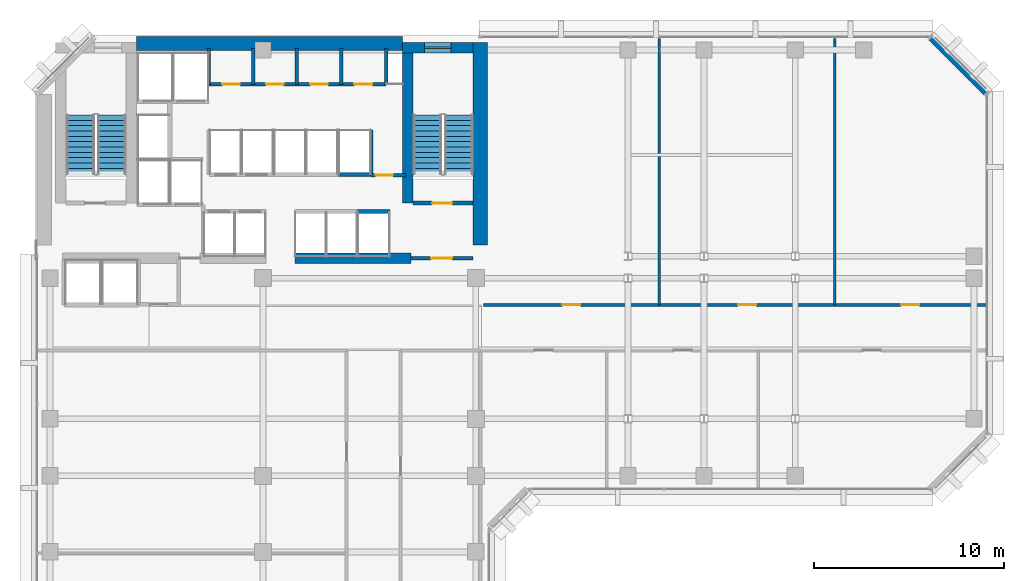
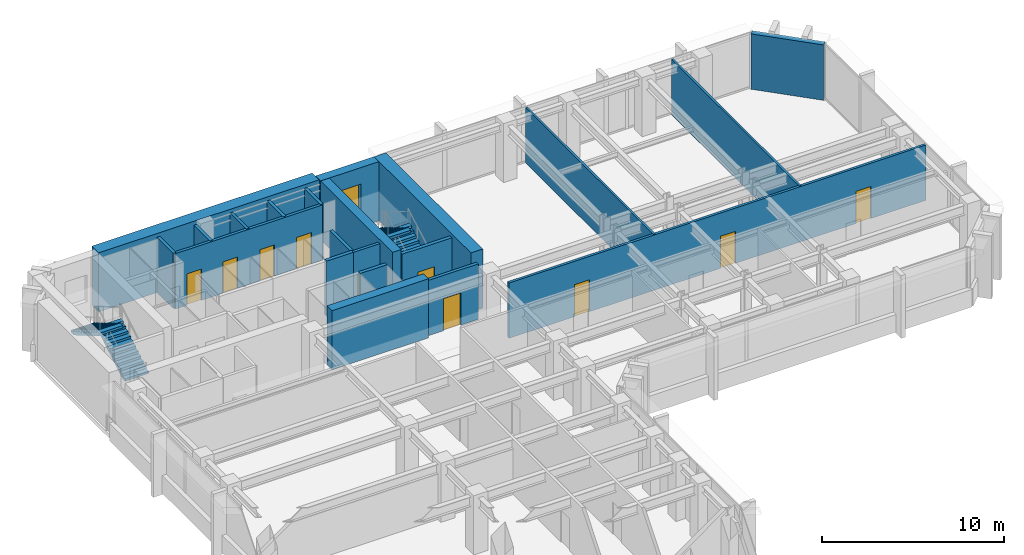
# One storey, part 8 of 12: 21 walls, 10 doors, 4 stair flights, 1 window, 11 openings, 2 elements without a shape of their own.
"""IFC4 building model written with IfcOpenShell, lengths in metres."""

from ifc_helpers import new_model, si_unit, direction, frame, frame_2d, origin, place, context, subcontext, project, spatial, polyline, rectangle, outline, extrude, material, layer, layer_set, type_object, element, fill, aggregate, save


model = new_model("IFC4")

# Units and contexts
model_context = context("Model", 3, precision=1e-05, world=origin(), true_north=direction((0.0, 1.0)))
body_context = subcontext(model_context, "Body", "Model", "MODEL_VIEW")
ifc_project = project(units=[si_unit("LENGTHUNIT", "METRE"), si_unit("AREAUNIT", "SQUARE_METRE"), si_unit("VOLUMEUNIT", "CUBIC_METRE"), si_unit("PLANEANGLEUNIT", "RADIAN"), si_unit("MASSUNIT", "GRAM", prefix="KILO")], contexts=[model_context])

# Site, building, storey
site_placement = place(None, origin())
site = spatial("IfcSite", under=ifc_project, at=site_placement, CompositionType="ELEMENT")
building_placement = place(site_placement, origin())
building = spatial("IfcBuilding", under=site, at=building_placement, Name="Kefirva Bronze Tower", CompositionType="ELEMENT")
storey_placement = place(building_placement, frame((0.0, 0.0, 118.469970703125)))
storey = spatial("IfcBuildingStorey", under=building, at=storey_placement, Name="L28", CompositionType="ELEMENT", Elevation=118.469970703125)

# Walls
ifc_material_1 = material(Name="Gypsum acoustic partition")
ifc_layer_1 = layer(ifc_material_1, 0.1298828125, Name="Gypsum acoustic partition")
ifc_layer_set_1 = layer_set([ifc_layer_1], Name="Gypsum acoustic partition")
wall_type_1 = type_object("IfcWallType", Name="Acoustic Office Partition 130mm", PredefinedType="PARTITIONING", material=ifc_layer_set_1)
for number, where, z_axis, x_axis, name in (
    (1, (32.843505859375, 31.800048828125, 0.0), (0.0, 0.0, 1.0), (0.0, 1.0, 0.0), "L28 Partition W-L28-END1"),
    (2, (42.0869140625, 31.800048828125, 0.0), (0.0, 0.0, 1.0), (0.0, 1.0, 0.0), "L28 Partition W-L28-END2"),
):
    element("IfcWall", number, at=place(storey_placement, frame(where, z_axis=z_axis, x_axis=x_axis)), inside=storey, type_object=wall_type_1, Name=name, PredefinedType="PARTITIONING", context=body_context, shape_type="SweptSolid", body=[
        extrude(rectangle(XDim=14.010009765625, YDim=0.1298828125, at=frame_2d((7.0048828125, 0.0))), origin(), (0.0, 0.0, 1.0), 3.7099609375),
    ])

# Wall, opening, door
ifc_material_2 = material(Name="Gypsum fireboard shaftwall")
ifc_layer_2 = layer(ifc_material_2, 0.219970703125, Name="Gypsum fireboard shaftwall")
ifc_layer_set_2 = layer_set([ifc_layer_2], Name="Gypsum fireboard shaftwall")
wall_type_2 = type_object("IfcWallType", Name="Fire-Rated Shaft Enclosure Wall 220mm", PredefinedType="PARTITIONING", material=ifc_layer_set_2)
wall_1_placement = place(storey_placement, frame((19.89990234375, 37.14990234375, 0.0), z_axis=(0.0, 0.0, 1.0), x_axis=(1.0, 0.0, 0.0)))
wall_1 = element("IfcWall", 3, at=wall_1_placement, inside=storey, type_object=wall_type_2, Name="L28 Partition W-L28-ST2S", PredefinedType="PARTITIONING", context=body_context, shape_type="SweptSolid", body=[
    extrude(rectangle(XDim=3.150146484375, YDim=0.219970703125, at=frame_2d((1.5751953125, 0.0))), origin(), (0.0, 0.0, 1.0), 3.7099609375),
])
opening_1_placement = place(wall_1_placement, frame((2.050048828125, 0.0, 0.0), z_axis=(0.0, 0.0, 1.0), x_axis=(-1.0, 0.0, 0.0)))
opening_1 = element("IfcOpeningElement", 4, at=opening_1_placement, cuts=wall_1, Name="Opening L28-D003", PredefinedType="OPENING", context=body_context, shape_type="SweptSolid", body=[
    extrude(rectangle(XDim=1.050048828125, YDim=2.14990234375, at=frame_2d((0.52490234375, 1.074951171875))), frame((0.0, 0.1201171875, 0.0), z_axis=(0.0, -1.0, 0.0), x_axis=(1.0, 0.0, 0.0)), (0.0, 0.0, 1.0), 0.239990234375),
])
ifc_material_3 = material(Name="Painted galvanized steel", Category="steel")
door_type_1 = type_object("IfcDoorType", Name="Fire Stair Enclosure Door 1050x2150 FD90S", OperationType="NOTDEFINED", PredefinedType="DOOR", material=ifc_material_3)
door_1_placement = place(opening_1_placement, origin())
door_1 = element("IfcDoor", 5, at=door_1_placement, inside=storey, type_object=door_type_1, Name="Door L28-D003", OperationType="SINGLE_SWING_RIGHT", OverallHeight=2.14990234375, OverallWidth=1.050048828125, PredefinedType="DOOR", context=body_context, shape_type="SweptSolid", body=[
    extrude(rectangle(XDim=1.050048828125, YDim=2.14990234375, at=frame_2d((0.52490234375, 1.074951171875))), frame((0.0, 0.02490234375, 0.0), z_axis=(0.0, -1.0, 0.0), x_axis=(1.0, 0.0, 0.0)), (0.0, 0.0, 1.0), 0.050048828125),
])
fill(opening_1, door_1)

# Walls
wall_2_placement = place(storey_placement, frame((17.679931640625, 38.64990234375, 0.0), z_axis=(0.0, 0.0, 1.0), x_axis=(0.0, 1.0, 0.0)))
element("IfcWall", 6, at=wall_2_placement, inside=storey, type_object=wall_type_2, Name="L28 Partition W-L28-HP2E", PredefinedType="PARTITIONING", context=body_context, shape_type="SweptSolid", body=[
    extrude(rectangle(XDim=2.35009765625, YDim=0.199951171875, at=frame_2d((1.175048828125, 0.0))), origin(), (0.0, 0.0, 1.0), 3.7099609375),
])
wall_3_placement = place(storey_placement, frame((16.97998046875, 36.699951171875, 0.0), z_axis=(0.0, 0.0, 1.0), x_axis=(1.0, 0.0, 0.0)))
element("IfcWall", 7, at=wall_3_placement, inside=storey, type_object=wall_type_2, Name="L28 Partition W-L28-HPS", PredefinedType="PARTITIONING", context=body_context, shape_type="SweptSolid", body=[
    extrude(rectangle(XDim=1.699951171875, YDim=0.219970703125, at=frame_2d((0.85009765625, 0.0))), origin(), (0.0, 0.0, 1.0), 3.7099609375),
])
wall_4_placement = place(storey_placement, frame((15.97998046875, 38.64990234375, 0.0), z_axis=(0.0, 0.0, 1.0), x_axis=(1.0, 0.0, 0.0)))
element("IfcWall", 8, at=wall_4_placement, inside=storey, type_object=wall_type_2, Name="L28 Partition W-L28-HPN", PredefinedType="PARTITIONING", context=body_context, shape_type="SweptSolid", body=[
    extrude(rectangle(XDim=1.719970703125, YDim=0.219970703125, at=frame_2d((0.85986328125, 0.0))), origin(), (0.0, 0.0, 1.0), 3.7099609375),
])

# Wall, opening, door
ifc_material_4 = material(Name="Gypsum fireboard barrier")
ifc_layer_3 = layer(ifc_material_4, 0.199951171875, Name="Gypsum fireboard barrier")
ifc_layer_set_3 = layer_set([ifc_layer_3], Name="Gypsum fireboard barrier")
wall_type_3 = type_object("IfcWallType", Name="Firefighting Lobby Barrier Wall 200mm", PredefinedType="PARTITIONING", material=ifc_layer_set_3)
wall_5_placement = place(storey_placement, frame((19.800048828125, 34.25, 0.0), z_axis=(0.0, 0.0, 1.0), x_axis=(1.0, 0.0, 0.0)))
wall_5 = element("IfcWall", 9, at=wall_5_placement, inside=storey, type_object=wall_type_3, Name="L28 Partition W-L28-ST2F", PredefinedType="PARTITIONING", context=body_context, shape_type="SweptSolid", body=[
    extrude(rectangle(XDim=3.25, YDim=0.199951171875, at=frame_2d((1.625, 0.0))), origin(), (0.0, 0.0, 1.0), 3.7099609375),
])
opening_2_placement = place(wall_5_placement, frame((2.150146484375, 0.0, 0.0), z_axis=(0.0, 0.0, 1.0), x_axis=(-1.0, 0.0, 0.0)))
opening_2 = element("IfcOpeningElement", 10, at=opening_2_placement, cuts=wall_5, Name="Opening L28-D004", PredefinedType="OPENING", context=body_context, shape_type="SweptSolid", body=[
    extrude(rectangle(XDim=1.10009765625, YDim=2.14990234375, at=frame_2d((0.550048828125, 1.074951171875))), frame((0.0, 0.10986328125, 0.0), z_axis=(0.0, -1.0, 0.0), x_axis=(1.0, 0.0, 0.0)), (0.0, 0.0, 1.0), 0.219970703125),
])
door_type_2 = type_object("IfcDoorType", Name="Firefighting Lobby Smoke Door 1100x2150 FD60S", OperationType="NOTDEFINED", PredefinedType="DOOR", material=ifc_material_3)
door_2_placement = place(opening_2_placement, origin())
door_2 = element("IfcDoor", 11, at=door_2_placement, inside=storey, type_object=door_type_2, Name="Door L28-D004", OperationType="SINGLE_SWING_LEFT", OverallHeight=2.14990234375, OverallWidth=1.10009765625, PredefinedType="DOOR", context=body_context, shape_type="SweptSolid", body=[
    extrude(rectangle(XDim=1.10009765625, YDim=2.14990234375, at=frame_2d((0.550048828125, 1.074951171875))), frame((0.0, 0.02490234375, 0.0), z_axis=(0.0, -1.0, 0.0), x_axis=(1.0, 0.0, 0.0)), (0.0, 0.0, 1.0), 0.050048828125),
])
fill(opening_2, door_2)

wall_6_placement = place(storey_placement, frame((17.679931640625, 38.6201171875, 0.0), z_axis=(0.0, 0.0, 1.0), x_axis=(1.0, 0.0, 0.0)))
wall_6 = element("IfcWall", 12, at=wall_6_placement, inside=storey, type_object=wall_type_3, Name="L28 Partition W-L28-CPASS", PredefinedType="PARTITIONING", context=body_context, shape_type="SweptSolid", body=[
    extrude(rectangle(XDim=1.840087890625, YDim=0.179931640625, at=frame_2d((0.919921875, 0.0))), origin(), (0.0, 0.0, 1.0), 3.7099609375),
])
opening_3_placement = place(wall_6_placement, frame((0.239990234375, 0.0, 0.0)))
opening_3 = element("IfcOpeningElement", 13, at=opening_3_placement, cuts=wall_6, Name="Opening L28-D-CPAS", PredefinedType="OPENING", context=body_context, shape_type="SweptSolid", body=[
    extrude(rectangle(XDim=0.919921875, YDim=2.10009765625, at=frame_2d((0.4599609375, 1.050048828125))), frame((0.0, 0.10009765625, 0.0), z_axis=(0.0, -1.0, 0.0), x_axis=(1.0, 0.0, 0.0)), (0.0, 0.0, 1.0), 0.199951171875),
])
ifc_material_5 = material(Name="Moisture-resistant timber", Category="wood")
door_type_3 = type_object("IfcDoorType", Name="Accessible Sanitary & WC Door 920x2100", OperationType="NOTDEFINED", PredefinedType="DOOR", material=ifc_material_5)
door_3_placement = place(opening_3_placement, origin())
door_3 = element("IfcDoor", 14, at=door_3_placement, inside=storey, type_object=door_type_3, Name="Door L28-D-CPAS", OperationType="SINGLE_SWING_RIGHT", OverallHeight=2.10009765625, OverallWidth=0.919921875, PredefinedType="DOOR", context=body_context, shape_type="SweptSolid", body=[
    extrude(rectangle(XDim=0.919921875, YDim=2.10009765625, at=frame_2d((0.4599609375, 1.050048828125))), frame((0.0, 0.02490234375, 0.0), z_axis=(0.0, -1.0, 0.0), x_axis=(1.0, 0.0, 0.0)), (0.0, 0.0, 1.0), 0.050048828125),
])
fill(opening_3, door_3)

# Wall
ifc_material_6 = material(Name="Precast concrete C40/50", Category="concrete")
ifc_layer_4 = layer(ifc_material_6, 0.320068359375, Name="Precast concrete C40/50")
ifc_layer_set_4 = layer_set([ifc_layer_4], Name="Precast concrete C40/50")
wall_type_4 = type_object("IfcWallType", Name="Precast Insulated Exterior Wall 320mm", PredefinedType="SOLIDWALL", material=ifc_layer_set_4)
wall_7_placement = place(storey_placement, frame((50.048095703125, 42.92578125, 0.0), z_axis=(0.0, 0.0, 1.0), x_axis=(-0.707136318428, 0.707077242712, 0.0)))
element("IfcWall", 15, at=wall_7_placement, inside=storey, type_object=wall_type_4, Name="L28 Exterior Facade Wall 7", PredefinedType="SOLIDWALL", context=body_context, shape_type="SweptSolid", body=[
    extrude(rectangle(XDim=4.132568359375, YDim=0.320068359375, at=frame_2d((2.06640625, 0.0))), origin(), (0.0, 0.0, 1.0), 3.7099609375),
])

# Wall, openings, doors
ifc_layer_5 = layer(ifc_material_1, 0.159912109375, Name="Gypsum acoustic partition")
ifc_layer_set_5 = layer_set([ifc_layer_5], Name="Gypsum acoustic partition")
wall_type_5 = type_object("IfcWallType", Name="Protected Corridor Partition 160mm", PredefinedType="PARTITIONING", material=ifc_layer_set_5)
wall_8_placement = place(storey_placement, frame((23.60009765625, 31.800048828125, 0.0), z_axis=(0.0, 0.0, 1.0), x_axis=(1.0, 0.0, 0.0)))
wall_8 = element("IfcWall", 16, at=wall_8_placement, inside=storey, type_object=wall_type_5, Name="L28 Partition W-L28-EWN", PredefinedType="PARTITIONING", context=body_context, shape_type="SweptSolid", body=[
    extrude(rectangle(XDim=26.409912109375, YDim=0.159912109375, at=frame_2d((13.205078125, 0.0))), origin(), (0.0, 0.0, 1.0), 3.7099609375),
])
opening_4_placement = place(wall_8_placement, frame((4.146728515625, 0.0, 0.0)))
opening_4 = element("IfcOpeningElement", 17, at=opening_4_placement, cuts=wall_8, Name="Opening L28-D-EN1", PredefinedType="OPENING", context=body_context, shape_type="SweptSolid", body=[
    extrude(rectangle(XDim=0.949951171875, YDim=2.14990234375, at=frame_2d((0.47509765625, 1.074951171875))), frame((0.0, 0.08984375, 0.0), z_axis=(0.0, -1.0, 0.0), x_axis=(1.0, 0.0, 0.0)), (0.0, 0.0, 1.0), 0.179931640625),
])
opening_5_placement = place(wall_8_placement, frame((13.39013671875, 0.0, 0.0)))
opening_5 = element("IfcOpeningElement", 18, at=opening_5_placement, cuts=wall_8, Name="Opening L28-D-EN2", PredefinedType="OPENING", context=body_context, shape_type="SweptSolid", body=[
    extrude(rectangle(XDim=0.949951171875, YDim=2.14990234375, at=frame_2d((0.47509765625, 1.074951171875))), frame((0.0, 0.08984375, 0.0), z_axis=(0.0, -1.0, 0.0), x_axis=(1.0, 0.0, 0.0)), (0.0, 0.0, 1.0), 0.179931640625),
])
opening_6_placement = place(wall_8_placement, frame((21.973388671875, 0.0, 0.0)))
opening_6 = element("IfcOpeningElement", 19, at=opening_6_placement, cuts=wall_8, Name="Opening L28-D-EN3", PredefinedType="OPENING", context=body_context, shape_type="SweptSolid", body=[
    extrude(rectangle(XDim=0.949951171875, YDim=2.14990234375, at=frame_2d((0.47509765625, 1.074951171875))), frame((0.0, 0.08984375, 0.0), z_axis=(0.0, -1.0, 0.0), x_axis=(1.0, 0.0, 0.0)), (0.0, 0.0, 1.0), 0.179931640625),
])
ifc_material_7 = material(Name="Acoustic hardwood oak", Category="wood")
door_type_4 = type_object("IfcDoorType", Name="Office & Meeting Room Door 950x2150", OperationType="NOTDEFINED", PredefinedType="DOOR", material=ifc_material_7)
door_4_placement = place(opening_4_placement, origin())
door_4 = element("IfcDoor", 20, at=door_4_placement, inside=storey, type_object=door_type_4, Name="Door L28-D-EN1", OperationType="SINGLE_SWING_LEFT", OverallHeight=2.14990234375, OverallWidth=0.949951171875, PredefinedType="DOOR", context=body_context, shape_type="SweptSolid", body=[
    extrude(rectangle(XDim=0.949951171875, YDim=2.14990234375, at=frame_2d((0.47509765625, 1.074951171875))), frame((0.0, 0.02490234375, 0.0), z_axis=(0.0, -1.0, 0.0), x_axis=(1.0, 0.0, 0.0)), (0.0, 0.0, 1.0), 0.050048828125),
])
fill(opening_4, door_4)
door_5_placement = place(opening_5_placement, origin())
door_5 = element("IfcDoor", 21, at=door_5_placement, inside=storey, type_object=door_type_4, Name="Door L28-D-EN2", OperationType="SINGLE_SWING_RIGHT", OverallHeight=2.14990234375, OverallWidth=0.949951171875, PredefinedType="DOOR", context=body_context, shape_type="SweptSolid", body=[
    extrude(rectangle(XDim=0.949951171875, YDim=2.14990234375, at=frame_2d((0.47509765625, 1.074951171875))), frame((0.0, 0.02490234375, 0.0), z_axis=(0.0, -1.0, 0.0), x_axis=(1.0, 0.0, 0.0)), (0.0, 0.0, 1.0), 0.050048828125),
])
fill(opening_5, door_5)
door_6_placement = place(opening_6_placement, origin())
door_6 = element("IfcDoor", 22, at=door_6_placement, inside=storey, type_object=door_type_4, Name="Door L28-D-EN3", OperationType="SINGLE_SWING_LEFT", OverallHeight=2.14990234375, OverallWidth=0.949951171875, PredefinedType="DOOR", context=body_context, shape_type="SweptSolid", body=[
    extrude(rectangle(XDim=0.949951171875, YDim=2.14990234375, at=frame_2d((0.47509765625, 1.074951171875))), frame((0.0, 0.02490234375, 0.0), z_axis=(0.0, -1.0, 0.0), x_axis=(1.0, 0.0, 0.0)), (0.0, 0.0, 1.0), 0.050048828125),
])
fill(opening_6, door_6)

# Wall, opening, window
ifc_material_8 = material(Name="Concrete C50/60", Category="concrete")
ifc_layer_6 = layer(ifc_material_8, 0.550048828125, Name="Concrete C50/60")
ifc_layer_set_6 = layer_set([ifc_layer_6], Name="Concrete C50/60")
wall_type_6 = type_object("IfcWallType", Name="RC Rear Core Exterior Wall 550mm", PredefinedType="SHEAR", material=ifc_layer_set_6)
wall_9_placement = place(storey_placement, frame((19.35009765625, 45.320068359375, 0.0), z_axis=(0.0, 0.0, 1.0), x_axis=(1.0, 0.0, 0.0)))
wall_9 = element("IfcWall", 23, at=wall_9_placement, inside=storey, type_object=wall_type_6, Name="L28 Stair 2 North Shear Wall", PredefinedType="SHEAR", context=body_context, shape_type="SweptSolid", body=[
    extrude(rectangle(XDim=3.68994140625, YDim=0.550048828125, at=frame_2d((1.844970703125, 0.0))), origin(), (0.0, 0.0, 1.0), 3.9599609375),
])
opening_7_placement = place(wall_9_placement, frame((1.14990234375, 0.0, 1.050048828125)))
opening_7 = element("IfcOpeningElement", 24, at=opening_7_placement, cuts=wall_9, Name="Opening WN-03", PredefinedType="OPENING", context=body_context, shape_type="SweptSolid", body=[
    extrude(rectangle(XDim=1.39990234375, YDim=1.800048828125, at=frame_2d((0.699951171875, 0.89990234375))), frame((0.0, 0.28515625, 0.0), z_axis=(0.0, -1.0, 0.0), x_axis=(1.0, 0.0, 0.0)), (0.0, 0.0, 1.0), 0.570068359375),
])
ifc_material_9 = material(Name="Laminated low-E double glazing", Category="glass")
window_type = type_object("IfcWindowType", Name="Rear-Core Stair Daylight Window 1400x1800", PartitioningType="SINGLE_PANEL", PredefinedType="WINDOW", material=ifc_material_9)
window_placement = place(opening_7_placement, origin())
window = element("IfcWindow", 25, at=window_placement, inside=storey, type_object=window_type, Name="L28 Stair 2 Daylight Window", OverallHeight=1.800048828125, OverallWidth=1.39990234375, PartitioningType="SINGLE_PANEL", PredefinedType="WINDOW", context=body_context, shape_type="SweptSolid", body=[
    extrude(rectangle(XDim=1.39990234375, YDim=1.800048828125, at=frame_2d((0.699951171875, 0.89990234375))), frame((0.0, 0.030029296875, 0.0), z_axis=(0.0, -1.0, 0.0), x_axis=(1.0, 0.0, 0.0)), (0.0, 0.0, 1.0), 0.06005859375),
])
fill(opening_7, window)

# Walls
ifc_material_10 = material(Name="Concrete C60/75", Category="concrete")
ifc_layer_7 = layer(ifc_material_10, 0.75, Name="Concrete C60/75")
ifc_layer_set_7 = layer_set([ifc_layer_7], Name="Concrete C60/75")
wall_type_7 = type_object("IfcWallType", Name="RC Rear Core Exterior Wall 750mm", PredefinedType="SHEAR", material=ifc_layer_set_7)
wall_10_placement = place(storey_placement, frame((5.360107421875, 45.550048828125, 0.0), z_axis=(0.0, 0.0, 1.0), x_axis=(1.0, 0.0, 0.0)))
element("IfcWall", 26, at=wall_10_placement, inside=storey, type_object=wall_type_7, Name="L28 Rear Core North Shear Wall", PredefinedType="SHEAR", context=body_context, shape_type="SweptSolid", body=[
    extrude(rectangle(XDim=13.97998046875, YDim=0.75, at=frame_2d((6.989990234375, 0.0))), origin(), (0.0, 0.0, 1.0), 3.9599609375),
])
ifc_layer_8 = layer(ifc_material_8, 0.550048828125, Name="Concrete C50/60")
ifc_layer_set_8 = layer_set([ifc_layer_8], Name="Concrete C50/60")
wall_type_8 = type_object("IfcWallType", Name="RC Rear Core Interior Wall 550mm", PredefinedType="SHEAR", material=ifc_layer_set_8)
wall_11_placement = place(storey_placement, frame((19.6201171875, 37.14990234375, 0.0), z_axis=(0.0, 0.0, 1.0), x_axis=(0.0, 1.0, 0.0)))
element("IfcWall", 27, at=wall_11_placement, inside=storey, type_object=wall_type_8, Name="L28 Stair 2 West Shear Wall", PredefinedType="SHEAR", context=body_context, shape_type="SweptSolid", body=[
    extrude(rectangle(XDim=7.89013671875, YDim=0.550048828125, at=frame_2d((3.945068359375, 0.0))), origin(), (0.0, 0.0, 1.0), 3.9599609375),
])
ifc_layer_9 = layer(ifc_material_10, 0.75, Name="Concrete C60/75")
ifc_layer_set_9 = layer_set([ifc_layer_9], Name="Concrete C60/75")
wall_type_9 = type_object("IfcWallType", Name="RC Rear Core Interior Wall 750mm", PredefinedType="SHEAR", material=ifc_layer_set_9)
wall_12_placement = place(storey_placement, frame((23.425048828125, 34.949951171875, 0.0), z_axis=(0.0, 0.0, 1.0), x_axis=(0.0, 1.0, 0.0)))
element("IfcWall", 28, at=wall_12_placement, inside=storey, type_object=wall_type_9, Name="L28 Rear Core East Shear Wall", PredefinedType="SHEAR", context=body_context, shape_type="SweptSolid", body=[
    extrude(rectangle(XDim=10.64013671875, YDim=0.75, at=frame_2d((5.320068359375, 0.0))), origin(), (0.0, 0.0, 1.0), 3.9599609375),
])
wall_13_placement = place(storey_placement, frame((13.679931640625, 34.25, 0.0), z_axis=(0.0, 0.0, 1.0), x_axis=(1.0, 0.0, 0.0)))
element("IfcWall", 29, at=wall_13_placement, inside=storey, type_object=wall_type_9, Name="L28 Rear Core South-East Shear Wall", PredefinedType="SHEAR", context=body_context, shape_type="SweptSolid", body=[
    extrude(rectangle(XDim=6.1201171875, YDim=0.550048828125, at=frame_2d((3.06005859375, 0.0))), origin(), (0.0, 0.0, 1.0), 3.9599609375),
])

# Wall, openings, doors
ifc_material_11 = material(Name="Moisture-resistant partition")
ifc_layer_10 = layer(ifc_material_11, 0.179931640625, Name="Moisture-resistant partition")
ifc_layer_set_10 = layer_set([ifc_layer_10], Name="Moisture-resistant partition")
wall_type_10 = type_object("IfcWallType", Name="Sanitary Plumbing Chase Wall 180mm", PredefinedType="PLUMBINGWALL", material=ifc_layer_set_10)
wall_14_placement = place(storey_placement, frame((9.14990234375, 43.39990234375, 0.0), z_axis=(0.0, 0.0, 1.0), x_axis=(1.0, 0.0, 0.0)))
wall_14 = element("IfcWall", 30, at=wall_14_placement, inside=storey, type_object=wall_type_10, Name="L28 Partition W-L28-SVCS", PredefinedType="PLUMBINGWALL", context=body_context, shape_type="SweptSolid", body=[
    extrude(rectangle(XDim=9.330078125, YDim=0.179931640625, at=frame_2d((4.6650390625, 0.0))), origin(), (0.0, 0.0, 1.0), 3.7099609375),
])
opening_8_placement = place(wall_14_placement, frame((0.719970703125, 0.0, 0.0)))
opening_8 = element("IfcOpeningElement", 31, at=opening_8_placement, cuts=wall_14, Name="Opening L28-D-CSVC1", PredefinedType="OPENING", context=body_context, shape_type="SweptSolid", body=[
    extrude(rectangle(XDim=0.919921875, YDim=2.10009765625, at=frame_2d((0.4599609375, 1.050048828125))), frame((0.0, 0.10009765625, 0.0), z_axis=(0.0, -1.0, 0.0), x_axis=(1.0, 0.0, 0.0)), (0.0, 0.0, 1.0), 0.199951171875),
])
opening_9_placement = place(wall_14_placement, frame((3.02001953125, 0.0, 0.0)))
opening_9 = element("IfcOpeningElement", 32, at=opening_9_placement, cuts=wall_14, Name="Opening L28-D-CSVC2", PredefinedType="OPENING", context=body_context, shape_type="SweptSolid", body=[
    extrude(rectangle(XDim=0.919921875, YDim=2.10009765625, at=frame_2d((0.4599609375, 1.050048828125))), frame((0.0, 0.10009765625, 0.0), z_axis=(0.0, -1.0, 0.0), x_axis=(1.0, 0.0, 0.0)), (0.0, 0.0, 1.0), 0.199951171875),
])
opening_10_placement = place(wall_14_placement, frame((5.340087890625, 0.0, 0.0)))
opening_10 = element("IfcOpeningElement", 33, at=opening_10_placement, cuts=wall_14, Name="Opening L28-D-CSVC3", PredefinedType="OPENING", context=body_context, shape_type="SweptSolid", body=[
    extrude(rectangle(XDim=0.919921875, YDim=2.10009765625, at=frame_2d((0.4599609375, 1.050048828125))), frame((0.0, 0.10009765625, 0.0), z_axis=(0.0, -1.0, 0.0), x_axis=(1.0, 0.0, 0.0)), (0.0, 0.0, 1.0), 0.199951171875),
])
opening_11_placement = place(wall_14_placement, frame((7.659912109375, 0.0, 0.0)))
opening_11 = element("IfcOpeningElement", 34, at=opening_11_placement, cuts=wall_14, Name="Opening L28-D-CSVC4", PredefinedType="OPENING", context=body_context, shape_type="SweptSolid", body=[
    extrude(rectangle(XDim=0.949951171875, YDim=2.10009765625, at=frame_2d((0.47509765625, 1.050048828125))), frame((0.0, 0.10009765625, 0.0), z_axis=(0.0, -1.0, 0.0), x_axis=(1.0, 0.0, 0.0)), (0.0, 0.0, 1.0), 0.199951171875),
])
door_7_placement = place(opening_8_placement, origin())
door_7 = element("IfcDoor", 35, at=door_7_placement, inside=storey, type_object=door_type_3, Name="Door L28-D-CSVC1", OperationType="SINGLE_SWING_RIGHT", OverallHeight=2.10009765625, OverallWidth=0.919921875, PredefinedType="DOOR", context=body_context, shape_type="SweptSolid", body=[
    extrude(rectangle(XDim=0.919921875, YDim=2.10009765625, at=frame_2d((0.4599609375, 1.050048828125))), frame((0.0, 0.02490234375, 0.0), z_axis=(0.0, -1.0, 0.0), x_axis=(1.0, 0.0, 0.0)), (0.0, 0.0, 1.0), 0.050048828125),
])
fill(opening_8, door_7)
door_8_placement = place(opening_9_placement, origin())
door_8 = element("IfcDoor", 36, at=door_8_placement, inside=storey, type_object=door_type_3, Name="Door L28-D-CSVC2", OperationType="SINGLE_SWING_LEFT", OverallHeight=2.10009765625, OverallWidth=0.919921875, PredefinedType="DOOR", context=body_context, shape_type="SweptSolid", body=[
    extrude(rectangle(XDim=0.919921875, YDim=2.10009765625, at=frame_2d((0.4599609375, 1.050048828125))), frame((0.0, 0.02490234375, 0.0), z_axis=(0.0, -1.0, 0.0), x_axis=(1.0, 0.0, 0.0)), (0.0, 0.0, 1.0), 0.050048828125),
])
fill(opening_9, door_8)
door_9_placement = place(opening_10_placement, origin())
door_9 = element("IfcDoor", 37, at=door_9_placement, inside=storey, type_object=door_type_3, Name="Door L28-D-CSVC3", OperationType="SINGLE_SWING_RIGHT", OverallHeight=2.10009765625, OverallWidth=0.919921875, PredefinedType="DOOR", context=body_context, shape_type="SweptSolid", body=[
    extrude(rectangle(XDim=0.919921875, YDim=2.10009765625, at=frame_2d((0.4599609375, 1.050048828125))), frame((0.0, 0.02490234375, 0.0), z_axis=(0.0, -1.0, 0.0), x_axis=(1.0, 0.0, 0.0)), (0.0, 0.0, 1.0), 0.050048828125),
])
fill(opening_10, door_9)
door_type_5 = type_object("IfcDoorType", Name="Riser & Plant Shaft Fire Door 950x2100 FD60S", OperationType="NOTDEFINED", PredefinedType="DOOR", material=ifc_material_3)
door_10_placement = place(opening_11_placement, origin())
door_10 = element("IfcDoor", 38, at=door_10_placement, inside=storey, type_object=door_type_5, Name="Door L28-D-CSVC4", OperationType="SINGLE_SWING_LEFT", OverallHeight=2.10009765625, OverallWidth=0.949951171875, PredefinedType="DOOR", context=body_context, shape_type="SweptSolid", body=[
    extrude(rectangle(XDim=0.949951171875, YDim=2.10009765625, at=frame_2d((0.47509765625, 1.050048828125))), frame((0.0, 0.02490234375, 0.0), z_axis=(0.0, -1.0, 0.0), x_axis=(1.0, 0.0, 0.0)), (0.0, 0.0, 1.0), 0.050048828125),
])
fill(opening_11, door_10)

# Walls
for number, where, z_axis, x_axis, name in (
    (39, (9.14990234375, 43.39990234375, 0.0), (0.0, 0.0, 1.0), (0.0, 1.0, 0.0), "L28 Partition W-L28-SVCW"),
    (40, (18.47998046875, 43.39990234375, 0.0), (0.0, 0.0, 1.0), (0.0, 1.0, 0.0), "L28 Partition W-L28-SVCE"),
    (41, (11.47998046875, 43.39990234375, 0.0), (0.0, 0.0, 1.0), (0.0, 1.0, 0.0), "L28 Partition W-L28-CSVD-1"),
    (42, (13.780029296875, 43.39990234375, 0.0), (0.0, 0.0, 1.0), (0.0, 1.0, 0.0), "L28 Partition W-L28-CSVD-2"),
    (43, (16.1201171875, 43.39990234375, 0.0), (0.0, 0.0, 1.0), (0.0, 1.0, 0.0), "L28 Partition W-L28-CSVD-3"),
):
    element("IfcWall", number, at=place(storey_placement, frame(where, z_axis=z_axis, x_axis=x_axis)), inside=storey, type_object=wall_type_10, Name=name, PredefinedType="PLUMBINGWALL", context=body_context, shape_type="SweptSolid", body=[
        extrude(rectangle(XDim=1.880126953125, YDim=0.179931640625, at=frame_2d((0.93994140625, 0.0))), origin(), (0.0, 0.0, 1.0), 3.7099609375),
    ])

# Stair, stair flights
ifc_material_12 = material(Name="Concrete C40/50", Category="concrete")
stair_type = type_object("IfcStairType", Name="RC Dogleg Protected Stair 24R", PredefinedType="HALF_TURN_STAIR", material=ifc_material_12)
stair_1_placement = place(storey_placement, origin())
stair_1 = element("IfcStair", 44, at=stair_1_placement, inside=storey, type_object=stair_type, Name="L28 Protected Exit Stair 1", PredefinedType="HALF_TURN_STAIR")
stair_flight_type = type_object("IfcStairFlightType", Name="RC Straight Stair Flight 24R", PredefinedType="STRAIGHT", material=ifc_material_12)
stair_flight_1_placement = place(storey_placement, frame((4.050048828125, 38.699951171875, 0.0), z_axis=(0.0, 0.0, 1.0), x_axis=(0.0, 1.0, 0.0)))
stair_flight_1 = element("IfcStairFlight", 45, at=stair_flight_1_placement, type_object=stair_flight_type, Name="ST-1 flight 1", NumberOfRisers=12, NumberOfTreads=11, PredefinedType="STRAIGHT", RiserHeight=0.165, TreadLength=0.28, context=body_context, shape_type="SweptSolid", body=[
    extrude(outline(polyline([(0.0, 0.0), (0.0, 0.1650390625), (0.280029296875, 0.1650390625), (0.280029296875, 0.330078125), (0.56005859375, 0.330078125), (0.56005859375, 0.4951171875), (0.840087890625, 0.4951171875), (0.840087890625, 0.659912109375), (1.1201171875, 0.659912109375), (1.1201171875, 0.824951171875), (1.39990234375, 0.824951171875), (1.39990234375, 0.989990234375), (1.679931640625, 0.989990234375), (1.679931640625, 1.155029296875), (1.9599609375, 1.155029296875), (1.9599609375, 1.320068359375), (2.239990234375, 1.320068359375), (2.239990234375, 1.485107421875), (2.52001953125, 1.485107421875), (2.52001953125, 1.64990234375), (2.800048828125, 1.64990234375), (2.800048828125, 1.81494140625), (3.080078125, 1.81494140625), (3.080078125, 1.97998046875), (3.080078125, 1.64111328125), (0.295166015625, 0.0), (0.0, 0.0)])), frame((0.0, 0.75, 0.0), z_axis=(0.0, -1.0, 0.0), x_axis=(1.0, 0.0, 0.0)), (0.0, 0.0, 1.0), 1.5),
])
stair_flight_2_placement = place(storey_placement, frame((2.39990234375, 41.780029296875, 1.97998046875), z_axis=(0.0, 0.0, 1.0), x_axis=(0.0, -1.0, 0.0)))
stair_flight_2 = element("IfcStairFlight", 46, at=stair_flight_2_placement, type_object=stair_flight_type, Name="ST-1 flight 2", NumberOfRisers=12, NumberOfTreads=11, PredefinedType="STRAIGHT", RiserHeight=0.165, TreadLength=0.28, context=body_context, shape_type="SweptSolid", body=[
    extrude(outline(polyline([(0.0, 0.0), (0.0, 0.1650390625), (0.280029296875, 0.1650390625), (0.280029296875, 0.330078125), (0.56005859375, 0.330078125), (0.56005859375, 0.4951171875), (0.840087890625, 0.4951171875), (0.840087890625, 0.659912109375), (1.1201171875, 0.659912109375), (1.1201171875, 0.824951171875), (1.39990234375, 0.824951171875), (1.39990234375, 0.989990234375), (1.679931640625, 0.989990234375), (1.679931640625, 1.155029296875), (1.9599609375, 1.155029296875), (1.9599609375, 1.320068359375), (2.239990234375, 1.320068359375), (2.239990234375, 1.485107421875), (2.52001953125, 1.485107421875), (2.52001953125, 1.64990234375), (2.800048828125, 1.64990234375), (2.800048828125, 1.81494140625), (3.080078125, 1.81494140625), (3.080078125, 1.97998046875), (3.080078125, 1.64111328125), (0.295166015625, 0.0), (0.0, 0.0)])), frame((0.0, 0.75, 0.0), z_axis=(0.0, -1.0, 0.0), x_axis=(1.0, 0.0, 0.0)), (0.0, 0.0, 1.0), 1.5),
])
aggregate(stair_1, [stair_flight_1, stair_flight_2])

stair_2_placement = place(storey_placement, origin())
stair_2 = element("IfcStair", 47, at=stair_2_placement, inside=storey, type_object=stair_type, Name="L28 Protected Exit Stair 2", PredefinedType="HALF_TURN_STAIR")
stair_flight_3_placement = place(storey_placement, frame((22.300048828125, 38.699951171875, 0.0), z_axis=(0.0, 0.0, 1.0), x_axis=(0.0, 1.0, 0.0)))
stair_flight_3 = element("IfcStairFlight", 48, at=stair_flight_3_placement, type_object=stair_flight_type, Name="ST-2 flight 1", NumberOfRisers=12, NumberOfTreads=11, PredefinedType="STRAIGHT", RiserHeight=0.165, TreadLength=0.28, context=body_context, shape_type="SweptSolid", body=[
    extrude(outline(polyline([(0.0, 0.0), (0.0, 0.1650390625), (0.280029296875, 0.1650390625), (0.280029296875, 0.330078125), (0.56005859375, 0.330078125), (0.56005859375, 0.4951171875), (0.840087890625, 0.4951171875), (0.840087890625, 0.659912109375), (1.1201171875, 0.659912109375), (1.1201171875, 0.824951171875), (1.39990234375, 0.824951171875), (1.39990234375, 0.989990234375), (1.679931640625, 0.989990234375), (1.679931640625, 1.155029296875), (1.9599609375, 1.155029296875), (1.9599609375, 1.320068359375), (2.239990234375, 1.320068359375), (2.239990234375, 1.485107421875), (2.52001953125, 1.485107421875), (2.52001953125, 1.64990234375), (2.800048828125, 1.64990234375), (2.800048828125, 1.81494140625), (3.080078125, 1.81494140625), (3.080078125, 1.97998046875), (3.080078125, 1.64111328125), (0.295166015625, 0.0), (0.0, 0.0)])), frame((0.0, 0.75, 0.0), z_axis=(0.0, -1.0, 0.0), x_axis=(1.0, 0.0, 0.0)), (0.0, 0.0, 1.0), 1.5),
])
stair_flight_4_placement = place(storey_placement, frame((20.64990234375, 41.780029296875, 1.97998046875), z_axis=(0.0, 0.0, 1.0), x_axis=(0.0, -1.0, 0.0)))
stair_flight_4 = element("IfcStairFlight", 49, at=stair_flight_4_placement, type_object=stair_flight_type, Name="ST-2 flight 2", NumberOfRisers=12, NumberOfTreads=11, PredefinedType="STRAIGHT", RiserHeight=0.165, TreadLength=0.28, context=body_context, shape_type="SweptSolid", body=[
    extrude(outline(polyline([(0.0, 0.0), (0.0, 0.1650390625), (0.280029296875, 0.1650390625), (0.280029296875, 0.330078125), (0.56005859375, 0.330078125), (0.56005859375, 0.4951171875), (0.840087890625, 0.4951171875), (0.840087890625, 0.659912109375), (1.1201171875, 0.659912109375), (1.1201171875, 0.824951171875), (1.39990234375, 0.824951171875), (1.39990234375, 0.989990234375), (1.679931640625, 0.989990234375), (1.679931640625, 1.155029296875), (1.9599609375, 1.155029296875), (1.9599609375, 1.320068359375), (2.239990234375, 1.320068359375), (2.239990234375, 1.485107421875), (2.52001953125, 1.485107421875), (2.52001953125, 1.64990234375), (2.800048828125, 1.64990234375), (2.800048828125, 1.81494140625), (3.080078125, 1.81494140625), (3.080078125, 1.97998046875), (3.080078125, 1.64111328125), (0.295166015625, 0.0), (0.0, 0.0)])), frame((0.0, 0.75, 0.0), z_axis=(0.0, -1.0, 0.0), x_axis=(1.0, 0.0, 0.0)), (0.0, 0.0, 1.0), 1.5),
])
aggregate(stair_2, [stair_flight_3, stair_flight_4])

save(model, "model.ifc")
